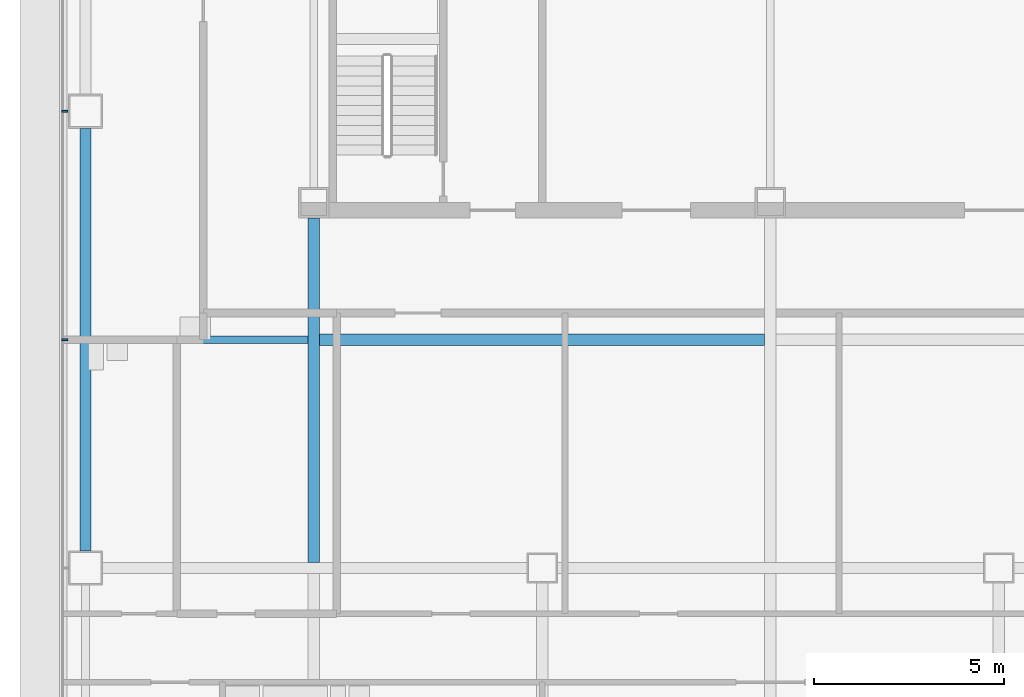
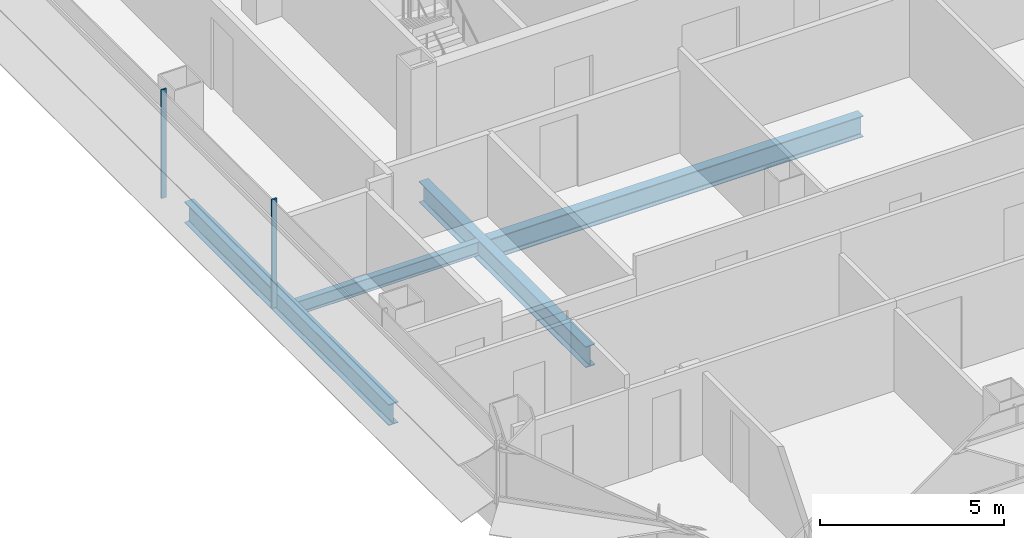
# One storey, part 4 of 27: 4 beams, 2 members, 1 element without a shape of its own.
"""IFC4 building model written with IfcOpenShell, lengths in metres."""

from ifc_helpers import new_model, si_unit, direction, frame, origin, origin_2d, place, context, subcontext, project, spatial, rectangle, i_section, extrude, material, material_profile, profile_set, type_object, element, aggregate, save


model = new_model("IFC4")

# Units and contexts
model_context = context("Model", 3, precision=1e-05, world=origin(), true_north=direction((0.0, 1.0)))
body_context = subcontext(model_context, "Body", "Model", "MODEL_VIEW")
ifc_project = project(units=[si_unit("LENGTHUNIT", "METRE"), si_unit("AREAUNIT", "SQUARE_METRE"), si_unit("VOLUMEUNIT", "CUBIC_METRE"), si_unit("PLANEANGLEUNIT", "RADIAN"), si_unit("MASSUNIT", "GRAM", prefix="KILO")], contexts=[model_context])

# Site, building, storey
site_placement = place(None, origin())
site = spatial("IfcSite", under=ifc_project, at=site_placement, CompositionType="ELEMENT")
building_placement = place(site_placement, origin())
building = spatial("IfcBuilding", under=site, at=building_placement, Name="Sorahane Residences", CompositionType="ELEMENT")
storey_placement = place(building_placement, frame((0.0, 0.0, 75.0)))
storey = spatial("IfcBuildingStorey", under=building, at=storey_placement, Name="L15", CompositionType="ELEMENT", Elevation=75.0)

# Curtain wall, members
ifc_material_1 = material(Name="Dark low-e glass and black anodised aluminium", Category="aluminium")
curtain_wall_type = type_object("IfcCurtainWallType", Name="Curtain wall CW-1 Typical unitised wall", PredefinedType="NOTDEFINED", material=ifc_material_1)
curtain_wall_placement = place(storey_placement, origin())
curtain_wall = element("IfcCurtainWall", 1, at=curtain_wall_placement, inside=storey, type_object=curtain_wall_type, Name="CW-1 curtain wall L15 W1", PredefinedType="NOTDEFINED")
ifc_material_2 = material(Name="Black anodised aluminium", Category="aluminium")
ifc_material_profile_1 = material_profile(ifc_material_2, rectangle(XDim=0.159912109375, YDim=0.050048828125, at=origin_2d()), Name="Curtain wall mullion CW-1 black anodised aluminium 50x160")
ifc_profile_set_1 = profile_set([ifc_material_profile_1], Name="Black anodised aluminium")
member_type = type_object("IfcMemberType", Name="Curtain wall mullion CW-1 black anodised aluminium 50x160", PredefinedType="MULLION", material=ifc_profile_set_1)
member_1_placement = place(storey_placement, frame((-0.5400390625, 24.0, -0.179931640625), z_axis=(0.0, 0.0, 1.0), x_axis=(-1.0, 0.0, 0.0)))
member_1 = element("IfcMember", 2, at=member_1_placement, type_object=member_type, Name="CW-1 mullion L15 W1.4", PredefinedType="MULLION", context=body_context, shape_type="SweptSolid", body=[
    extrude(rectangle(XDim=0.159912109375, YDim=0.050048828125, at=origin_2d()), origin(), (0.0, 0.0, 1.0), 3.599853515625),
])
member_2_placement = place(storey_placement, frame((-0.5400390625, 18.0, -0.179931640625), z_axis=(0.0, 0.0, 1.0), x_axis=(-1.0, 0.0, 0.0)))
member_2 = element("IfcMember", 3, at=member_2_placement, type_object=member_type, Name="CW-1 mullion L15 W1.5", PredefinedType="MULLION", context=body_context, shape_type="SweptSolid", body=[
    extrude(rectangle(XDim=0.159912109375, YDim=0.050048828125, at=origin_2d()), origin(), (0.0, 0.0, 1.0), 3.599853515625),
])
aggregate(curtain_wall, [member_1, member_2])

# Beams
ifc_material_3 = material(Name="Steel Q355B", Category="steel")
ifc_material_profile_2 = material_profile(ifc_material_3, i_section(OverallWidth=0.199951171875, OverallDepth=0.449951171875, WebThickness=0.009033203125, FlangeThickness=0.013916015625, FilletRadius=0.02001953125, at=origin_2d()), Name="HN 450x200x9x14")
ifc_profile_set_2 = profile_set([ifc_material_profile_2], Name="Steel Q355B")
beam_type_1 = type_object("IfcBeamType", Name="Steel floor beam HN 450x200x9x14 Q355B", PredefinedType="BEAM", material=ifc_profile_set_2)
beam_1_placement = place(storey_placement, frame((0.14990234375, 18.0, -0.405029296875), z_axis=(1.0, 0.0, 0.0), x_axis=(0.0, 1.0, 0.0)))
element("IfcBeam", 4, at=beam_1_placement, inside=storey, type_object=beam_type_1, Name="Beam L15 070", PredefinedType="BEAM", context=body_context, shape_type="SweptSolid", body=[
    extrude(i_section(OverallWidth=0.199951171875, OverallDepth=0.449951171875, WebThickness=0.009033203125, FlangeThickness=0.013916015625, FilletRadius=0.02001953125, at=origin_2d()), origin(), (0.0, 0.0, 1.0), 5.7001953125),
])
ifc_material_4 = material(Name="Steel Q355B", Category="steel")
ifc_material_profile_3 = material_profile(ifc_material_4, i_section(OverallWidth=0.300048828125, OverallDepth=0.699951171875, WebThickness=0.012939453125, FlangeThickness=0.02392578125, FilletRadius=0.028076171875, at=origin_2d()), Name="HN 700x300x13x24")
ifc_profile_set_3 = profile_set([ifc_material_profile_3], Name="Steel Q355B")
beam_type_2 = type_object("IfcBeamType", Name="Steel floor beam HN 700x300x13x24 Q355B", PredefinedType="BEAM", material=ifc_profile_set_3)
beam_2_placement = place(storey_placement, frame((0.0, 12.449951171875, -0.530029296875), z_axis=(0.0, 1.0, 0.0), x_axis=(-1.0, 0.0, 0.0)))
element("IfcBeam", 5, at=beam_2_placement, inside=storey, type_object=beam_type_2, Name="Beam L15 018", PredefinedType="BEAM", context=body_context, shape_type="SweptSolid", body=[
    extrude(i_section(OverallWidth=0.300048828125, OverallDepth=0.699951171875, WebThickness=0.012939453125, FlangeThickness=0.02392578125, FilletRadius=0.028076171875, at=origin_2d()), origin(), (0.0, 0.0, 1.0), 11.10009765625),
])
beam_3_placement = place(storey_placement, frame((6.0, 12.14990234375, -0.530029296875), z_axis=(0.0, 1.0, 0.0), x_axis=(-1.0, 0.0, 0.0)))
element("IfcBeam", 6, at=beam_3_placement, inside=storey, type_object=beam_type_2, Name="Beam L15 022", PredefinedType="BEAM", context=body_context, shape_type="SweptSolid", body=[
    extrude(i_section(OverallWidth=0.300048828125, OverallDepth=0.699951171875, WebThickness=0.012939453125, FlangeThickness=0.02392578125, FilletRadius=0.028076171875, at=origin_2d()), origin(), (0.0, 0.0, 1.0), 9.050048828125),
])
beam_4_placement = place(storey_placement, frame((6.14990234375, 18.0, -0.530029296875), z_axis=(1.0, 0.0, 0.0), x_axis=(0.0, 1.0, 0.0)))
element("IfcBeam", 7, at=beam_4_placement, inside=storey, type_object=beam_type_2, Name="Beam L15 071", PredefinedType="BEAM", context=body_context, shape_type="SweptSolid", body=[
    extrude(i_section(OverallWidth=0.300048828125, OverallDepth=0.699951171875, WebThickness=0.012939453125, FlangeThickness=0.02392578125, FilletRadius=0.028076171875, at=origin_2d()), origin(), (0.0, 0.0, 1.0), 11.7001953125),
])

save(model, "model.ifc")
